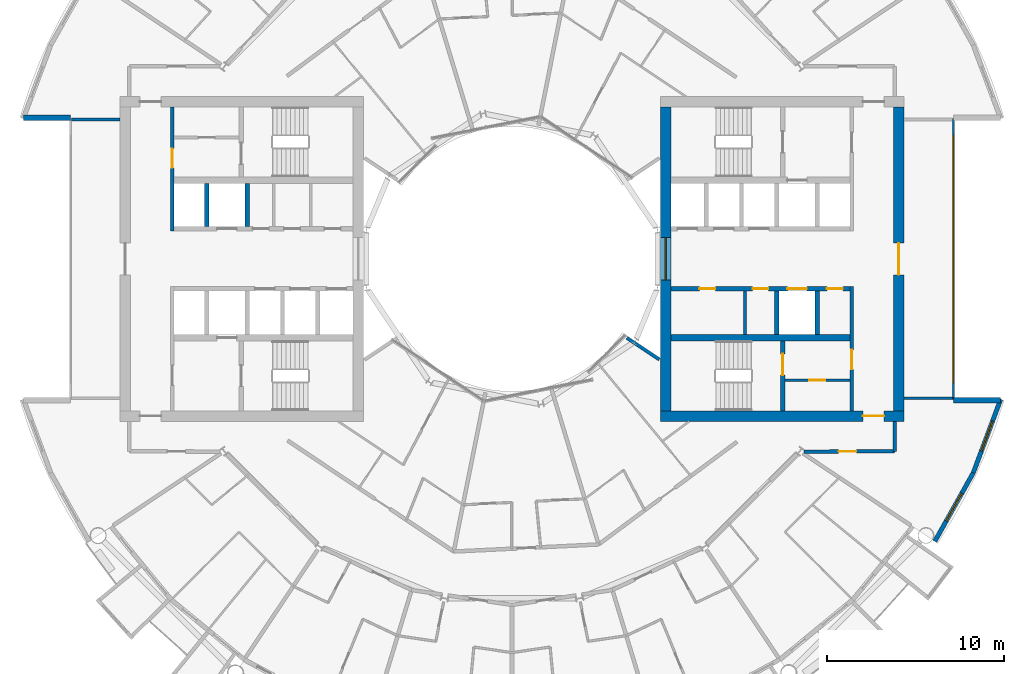
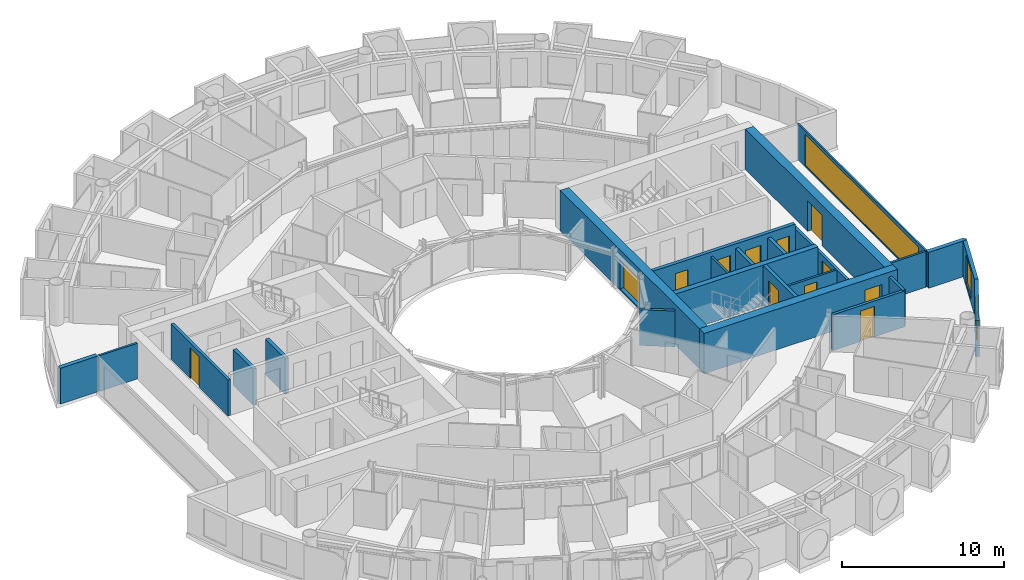
# One storey, part 18 of 27: 24 walls, 11 doors, 4 windows, 15 openings.
"""IFC4 building model written with IfcOpenShell, lengths in metres."""

from ifc_helpers import new_model, si_unit, direction, frame, frame_2d, origin, place, context, subcontext, project, spatial, rectangle, extrude, material, layer, layer_set, type_object, element, fill, save


model = new_model("IFC4")

# Units and contexts
model_context = context("Model", 3, precision=1e-05, world=origin(), true_north=direction((0.0, 1.0)))
body_context = subcontext(model_context, "Body", "Model", "MODEL_VIEW")
ifc_project = project(units=[si_unit("LENGTHUNIT", "METRE"), si_unit("AREAUNIT", "SQUARE_METRE"), si_unit("VOLUMEUNIT", "CUBIC_METRE"), si_unit("PLANEANGLEUNIT", "RADIAN"), si_unit("MASSUNIT", "GRAM", prefix="KILO")], contexts=[model_context])

# Site, building, storey
site_placement = place(None, origin())
site = spatial("IfcSite", under=ifc_project, at=site_placement, CompositionType="ELEMENT")
building_placement = place(site_placement, origin())
building = spatial("IfcBuilding", under=site, at=building_placement, Name="Maasbend Ring Residences", CompositionType="ELEMENT")
storey_placement = place(building_placement, frame((0.0, 0.0, 126.89990234375)))
storey = spatial("IfcBuildingStorey", under=building, at=storey_placement, Name="L36", CompositionType="ELEMENT", Elevation=126.89990234375)

# Wall, openings, doors
ifc_material_1 = material(Name="Concrete C60/75", Category="concrete")
ifc_layer_1 = layer(ifc_material_1, 0.25)
ifc_layer_set_1 = layer_set([ifc_layer_1], Name="Concrete C60/75")
wall_type_1 = type_object("IfcWallType", Name="CORE WALL 250 C60/75", PredefinedType="SHEAR", material=ifc_layer_set_1)
wall_1_placement = place(storey_placement, frame((19.14990234375, -1.699951171875, 0.0), z_axis=(0.0, 0.0, 1.0), x_axis=(-1.0, 0.0, 0.0)))
wall_1 = element("IfcWall", 1, at=wall_1_placement, inside=storey, type_object=wall_type_1, Name="L36 core E wall SPS", PredefinedType="SHEAR", context=body_context, shape_type="SweptSolid", body=[
    extrude(rectangle(XDim=10.14990234375, YDim=0.25, at=frame_2d((5.074951171875, 0.0))), origin(), (0.0, 0.0, 1.0), 3.050048828125),
])
opening_1_placement = place(wall_1_placement, frame((2.449951171875, 0.0, 0.0)))
opening_1 = element("IfcOpeningElement", 2, at=opening_1_placement, cuts=wall_1, Name="Opening LD-E3605", PredefinedType="OPENING", context=body_context, shape_type="SweptSolid", body=[
    extrude(rectangle(XDim=1.10009765625, YDim=2.300048828125, at=frame_2d((0.550048828125, 1.14990234375))), frame((0.0, 0.135009765625, 0.0), z_axis=(0.0, -1.0, 0.0), x_axis=(1.0, 0.0, 0.0)), (0.0, 0.0, 1.0), 0.27001953125),
])
opening_2_placement = place(wall_1_placement, frame((7.637451171875, 0.0, 0.0)))
opening_2 = element("IfcOpeningElement", 3, at=opening_2_placement, cuts=wall_1, Name="Opening D-E3606", PredefinedType="OPENING", context=body_context, shape_type="SweptSolid", body=[
    extrude(rectangle(XDim=0.89990234375, YDim=2.300048828125, at=frame_2d((0.449951171875, 1.14990234375))), frame((0.0, 0.135009765625, 0.0), z_axis=(0.0, -1.0, 0.0), x_axis=(1.0, 0.0, 0.0)), (0.0, 0.0, 1.0), 0.27001953125),
])
opening_3_placement = place(wall_1_placement, frame((4.625, 0.0, 0.0)))
opening_3 = element("IfcOpeningElement", 4, at=opening_3_placement, cuts=wall_1, Name="Opening D-E3607", PredefinedType="OPENING", context=body_context, shape_type="SweptSolid", body=[
    extrude(rectangle(XDim=0.89990234375, YDim=2.300048828125, at=frame_2d((0.449951171875, 1.14990234375))), frame((0.0, 0.135009765625, 0.0), z_axis=(0.0, -1.0, 0.0), x_axis=(1.0, 0.0, 0.0)), (0.0, 0.0, 1.0), 0.27001953125),
])
opening_4_placement = place(wall_1_placement, frame((0.41259765625, 0.0, 0.0)))
opening_4 = element("IfcOpeningElement", 5, at=opening_4_placement, cuts=wall_1, Name="Opening D-E3608", PredefinedType="OPENING", context=body_context, shape_type="SweptSolid", body=[
    extrude(rectangle(XDim=0.89990234375, YDim=2.300048828125, at=frame_2d((0.449951171875, 1.14990234375))), frame((0.0, 0.135009765625, 0.0), z_axis=(0.0, -1.0, 0.0), x_axis=(1.0, 0.0, 0.0)), (0.0, 0.0, 1.0), 0.27001953125),
])
ifc_material_2 = material(Name="Stainless steel 316", Category="steel")
door_type_1 = type_object("IfcDoorType", Name="LANDING DOOR 1100 X 2300 FD60", OperationType="DOUBLE_DOOR_SLIDING", PredefinedType="DOOR", material=ifc_material_2)
door_1_placement = place(opening_1_placement, origin())
door_1 = element("IfcDoor", 6, at=door_1_placement, inside=storey, type_object=door_type_1, Name="Landing door SV-E L36", OperationType="DOUBLE_DOOR_SLIDING", OverallHeight=2.300048828125, OverallWidth=1.10009765625, PredefinedType="DOOR", context=body_context, shape_type="SweptSolid", body=[
    extrude(rectangle(XDim=1.10009765625, YDim=2.300048828125, at=frame_2d((0.550048828125, 1.14990234375))), frame((0.0, 0.02490234375, 0.0), z_axis=(0.0, -1.0, 0.0), x_axis=(1.0, 0.0, 0.0)), (0.0, 0.0, 1.0), 0.050048828125),
])
fill(opening_1, door_1)
ifc_material_3 = material(Name="Steel, powder coated", Category="steel")
door_type_2 = type_object("IfcDoorType", Name="ROOM DOOR 900 X 2300 FD30S", OperationType="NOTDEFINED", PredefinedType="DOOR", material=ifc_material_3)
door_2_placement = place(opening_2_placement, origin())
door_2 = element("IfcDoor", 7, at=door_2_placement, inside=storey, type_object=door_type_2, Name="Room door L36", OperationType="SINGLE_SWING_LEFT", OverallHeight=2.300048828125, OverallWidth=0.89990234375, PredefinedType="DOOR", context=body_context, shape_type="SweptSolid", body=[
    extrude(rectangle(XDim=0.89990234375, YDim=2.300048828125, at=frame_2d((0.449951171875, 1.14990234375))), frame((0.0, 0.02490234375, 0.0), z_axis=(0.0, -1.0, 0.0), x_axis=(1.0, 0.0, 0.0)), (0.0, 0.0, 1.0), 0.050048828125),
])
fill(opening_2, door_2)
door_3_placement = place(opening_3_placement, origin())
door_3 = element("IfcDoor", 8, at=door_3_placement, inside=storey, type_object=door_type_2, Name="Room door L36", OperationType="SINGLE_SWING_LEFT", OverallHeight=2.300048828125, OverallWidth=0.89990234375, PredefinedType="DOOR", context=body_context, shape_type="SweptSolid", body=[
    extrude(rectangle(XDim=0.89990234375, YDim=2.300048828125, at=frame_2d((0.449951171875, 1.14990234375))), frame((0.0, 0.02490234375, 0.0), z_axis=(0.0, -1.0, 0.0), x_axis=(1.0, 0.0, 0.0)), (0.0, 0.0, 1.0), 0.050048828125),
])
fill(opening_3, door_3)
door_4_placement = place(opening_4_placement, origin())
door_4 = element("IfcDoor", 9, at=door_4_placement, inside=storey, type_object=door_type_2, Name="Room door L36", OperationType="SINGLE_SWING_RIGHT", OverallHeight=2.300048828125, OverallWidth=0.89990234375, PredefinedType="DOOR", context=body_context, shape_type="SweptSolid", body=[
    extrude(rectangle(XDim=0.89990234375, YDim=2.300048828125, at=frame_2d((0.449951171875, 1.14990234375))), frame((0.0, 0.02490234375, 0.0), z_axis=(0.0, -1.0, 0.0), x_axis=(1.0, 0.0, 0.0)), (0.0, 0.0, 1.0), 0.050048828125),
])
fill(opening_4, door_4)

# Wall, opening, door
wall_2_placement = place(storey_placement, frame((15.324951171875, -8.60009765625, 0.0), z_axis=(0.0, 0.0, 1.0), x_axis=(0.0, 1.0, 0.0)))
wall_2 = element("IfcWall", 10, at=wall_2_placement, inside=storey, type_object=wall_type_1, Name="L36 core E wall STES", PredefinedType="SHEAR", context=body_context, shape_type="SweptSolid", body=[
    extrude(rectangle(XDim=3.9501953125, YDim=0.25, at=frame_2d((1.97509765625, 0.0))), origin(), (0.0, 0.0, 1.0), 3.050048828125),
])
opening_5_placement = place(wall_2_placement, frame((2.02490234375, 0.0, 0.0)))
opening_5 = element("IfcOpeningElement", 11, at=opening_5_placement, cuts=wall_2, Name="Opening D-E3611", PredefinedType="OPENING", context=body_context, shape_type="SweptSolid", body=[
    extrude(rectangle(XDim=1.199951171875, YDim=2.300048828125, at=frame_2d((0.60009765625, 1.14990234375))), frame((0.0, 0.135009765625, 0.0), z_axis=(0.0, -1.0, 0.0), x_axis=(1.0, 0.0, 0.0)), (0.0, 0.0, 1.0), 0.27001953125),
])
ifc_material_4 = material(Name="Steel, powder coated", Category="steel")
door_type_3 = type_object("IfcDoorType", Name="STAIR DOOR 1200 X 2300 FD60", OperationType="NOTDEFINED", PredefinedType="DOOR", material=ifc_material_4)
door_5_placement = place(opening_5_placement, origin())
door_5 = element("IfcDoor", 12, at=door_5_placement, inside=storey, type_object=door_type_3, Name="Stair door ST-E L36", OperationType="SINGLE_SWING_LEFT", OverallHeight=2.300048828125, OverallWidth=1.199951171875, PredefinedType="DOOR", context=body_context, shape_type="SweptSolid", body=[
    extrude(rectangle(XDim=1.199951171875, YDim=2.300048828125, at=frame_2d((0.60009765625, 1.14990234375))), frame((0.0, 0.02490234375, 0.0), z_axis=(0.0, -1.0, 0.0), x_axis=(1.0, 0.0, 0.0)), (0.0, 0.0, 1.0), 0.050048828125),
])
fill(opening_5, door_5)

# Wall
ifc_material_5 = material(Name="Concrete C60/75", Category="concrete")
ifc_layer_2 = layer(ifc_material_5, 0.375)
ifc_layer_set_2 = layer_set([ifc_layer_2], Name="Concrete C60/75")
wall_type_2 = type_object("IfcWallType", Name="CORE WALL 375 C60/75", PredefinedType="SHEAR", material=ifc_layer_set_2)
wall_3_placement = place(storey_placement, frame((9.0, -4.46240234375, 0.0), z_axis=(0.0, 0.0, 1.0), x_axis=(1.0, 0.0, 0.0)))
element("IfcWall", 13, at=wall_3_placement, inside=storey, type_object=wall_type_2, Name="L36 core E wall BS", PredefinedType="SHEAR", context=body_context, shape_type="SweptSolid", body=[
    extrude(rectangle(XDim=10.14990234375, YDim=0.375, at=frame_2d((5.074951171875, 0.0))), origin(), (0.0, 0.0, 1.0), 3.050048828125),
])

# Wall, opening, door
ifc_material_6 = material(Name="Concrete C60/75", Category="concrete")
ifc_layer_3 = layer(ifc_material_6, 0.60009765625)
ifc_layer_set_3 = layer_set([ifc_layer_3], Name="Concrete C60/75")
wall_type_3 = type_object("IfcWallType", Name="CORE WALL 600 C60/75", PredefinedType="SHEAR", material=ifc_layer_set_3)
wall_4_placement = place(storey_placement, frame((8.39990234375, -8.89990234375, 0.0), z_axis=(0.0, 0.0, 1.0), x_axis=(1.0, 0.0, 0.0)))
wall_4 = element("IfcWall", 14, at=wall_4_placement, inside=storey, type_object=wall_type_3, Name="L36 core E wall PS", PredefinedType="SHEAR", context=body_context, shape_type="SweptSolid", body=[
    extrude(rectangle(XDim=13.800048828125, YDim=0.60009765625, at=frame_2d((6.89990234375, 0.0))), origin(), (0.0, 0.0, 1.0), 3.050048828125),
])
opening_6_placement = place(wall_4_placement, frame((11.47509765625, 0.0, 0.0)))
opening_6 = element("IfcOpeningElement", 15, at=opening_6_placement, cuts=wall_4, Name="Opening D-E3615", PredefinedType="OPENING", context=body_context, shape_type="SweptSolid", body=[
    extrude(rectangle(XDim=1.199951171875, YDim=2.300048828125, at=frame_2d((0.60009765625, 1.14990234375))), frame((0.0, 0.31005859375, 0.0), z_axis=(0.0, -1.0, 0.0), x_axis=(1.0, 0.0, 0.0)), (0.0, 0.0, 1.0), 0.6201171875),
])
ifc_material_7 = material(Name="Steel, powder coated", Category="steel")
door_type_4 = type_object("IfcDoorType", Name="CORRIDOR DOOR 1200 X 2300 FD30S", OperationType="NOTDEFINED", PredefinedType="DOOR", material=ifc_material_7)
door_6_placement = place(opening_6_placement, origin())
door_6 = element("IfcDoor", 16, at=door_6_placement, inside=storey, type_object=door_type_4, Name="Corridor door L36", OperationType="SINGLE_SWING_LEFT", OverallHeight=2.300048828125, OverallWidth=1.199951171875, PredefinedType="DOOR", context=body_context, shape_type="SweptSolid", body=[
    extrude(rectangle(XDim=1.199951171875, YDim=2.300048828125, at=frame_2d((0.60009765625, 1.14990234375))), frame((0.0, 0.02490234375, 0.0), z_axis=(0.0, -1.0, 0.0), x_axis=(1.0, 0.0, 0.0)), (0.0, 0.0, 1.0), 0.050048828125),
])
fill(opening_6, door_6)

wall_5_placement = place(storey_placement, frame((21.89990234375, 8.60009765625, 0.0), z_axis=(0.0, 0.0, 1.0), x_axis=(0.0, -1.0, 0.0)))
wall_5 = element("IfcWall", 17, at=wall_5_placement, inside=storey, type_object=wall_type_3, Name="L36 core E wall POUT", PredefinedType="SHEAR", context=body_context, shape_type="SweptSolid", body=[
    extrude(rectangle(XDim=17.2001953125, YDim=0.60009765625, at=frame_2d((8.60009765625, 0.0))), origin(), (0.0, 0.0, 1.0), 3.050048828125),
])
opening_7_placement = place(wall_5_placement, frame((7.699951171875, 0.0, 0.0)))
opening_7 = element("IfcOpeningElement", 18, at=opening_7_placement, cuts=wall_5, Name="Opening D-E3616", PredefinedType="OPENING", context=body_context, shape_type="SweptSolid", body=[
    extrude(rectangle(XDim=1.800048828125, YDim=2.300048828125, at=frame_2d((0.89990234375, 1.14990234375))), frame((0.0, 0.31005859375, 0.0), z_axis=(0.0, -1.0, 0.0), x_axis=(1.0, 0.0, 0.0)), (0.0, 0.0, 1.0), 0.6201171875),
])
ifc_material_8 = material(Name="Aluminium frame, clear glass", Category="aluminium")
door_type_5 = type_object("IfcDoorType", Name="ENTRANCE DOOR 1800 X 2300 FD60", OperationType="NOTDEFINED", PredefinedType="DOOR", material=ifc_material_8)
door_7_placement = place(opening_7_placement, origin())
door_7 = element("IfcDoor", 19, at=door_7_placement, inside=storey, type_object=door_type_5, Name="Lobby glazed door L36", OperationType="SINGLE_SWING_LEFT", OverallHeight=2.300048828125, OverallWidth=1.800048828125, PredefinedType="DOOR", context=body_context, shape_type="SweptSolid", body=[
    extrude(rectangle(XDim=1.800048828125, YDim=2.300048828125, at=frame_2d((0.89990234375, 1.14990234375))), frame((0.0, 0.02490234375, 0.0), z_axis=(0.0, -1.0, 0.0), x_axis=(1.0, 0.0, 0.0)), (0.0, 0.0, 1.0), 0.050048828125),
])
fill(opening_7, door_7)

# Wall, opening, window
wall_6_placement = place(storey_placement, frame((8.699951171875, -8.60009765625, 0.0), z_axis=(0.0, 0.0, 1.0), x_axis=(0.0, 1.0, 0.0)))
wall_6 = element("IfcWall", 20, at=wall_6_placement, inside=storey, type_object=wall_type_3, Name="L36 core E wall PIN", PredefinedType="SHEAR", context=body_context, shape_type="SweptSolid", body=[
    extrude(rectangle(XDim=17.2001953125, YDim=0.60009765625, at=frame_2d((8.60009765625, 0.0))), origin(), (0.0, 0.0, 1.0), 3.050048828125),
])
opening_8_placement = place(wall_6_placement, frame((7.39990234375, 0.0, 0.10009765625)))
opening_8 = element("IfcOpeningElement", 21, at=opening_8_placement, cuts=wall_6, Name="Opening W-E3601", PredefinedType="OPENING", context=body_context, shape_type="SweptSolid", body=[
    extrude(rectangle(XDim=2.39990234375, YDim=2.199951171875, at=frame_2d((1.199951171875, 1.10009765625))), frame((0.0, 0.31005859375, 0.0), z_axis=(0.0, -1.0, 0.0), x_axis=(1.0, 0.0, 0.0)), (0.0, 0.0, 1.0), 0.6201171875),
])
ifc_material_9 = material(Name="Aluminium frame and clear glass", Category="aluminium")
window_type_1 = type_object("IfcWindowType", Name="FIXED WINDOW 2400 X 2200", PartitioningType="SINGLE_PANEL", PredefinedType="WINDOW", material=ifc_material_9)
window_1_placement = place(opening_8_placement, origin())
window_1 = element("IfcWindow", 22, at=window_1_placement, inside=storey, type_object=window_type_1, Name="Lobby window L36", OverallHeight=2.199951171875, OverallWidth=2.39990234375, PartitioningType="SINGLE_PANEL", PredefinedType="WINDOW", context=body_context, shape_type="SweptSolid", body=[
    extrude(rectangle(XDim=2.39990234375, YDim=2.199951171875, at=frame_2d((1.199951171875, 1.10009765625))), frame((0.0, 0.030029296875, 0.0), z_axis=(0.0, -1.0, 0.0), x_axis=(1.0, 0.0, 0.0)), (0.0, 0.0, 1.0), 0.06005859375),
])
fill(opening_8, window_1)

# Wall
ifc_material_10 = material(Name="Concrete C30/37", Category="concrete")
ifc_layer_4 = layer(ifc_material_10, 0.199951171875)
ifc_layer_set_4 = layer_set([ifc_layer_4], Name="Concrete C30/37")
wall_type_4 = type_object("IfcWallType", Name="CORRIDOR WALL 200 CONCRETE", PredefinedType="PARTITIONING", material=ifc_layer_set_4)
wall_7_placement = place(storey_placement, frame((21.675048828125, -10.89990234375, 0.0), z_axis=(0.0, 0.0, 1.0), x_axis=(0.0, 1.0, 0.0)))
element("IfcWall", 23, at=wall_7_placement, inside=storey, type_object=wall_type_4, Name="U-L36-w013", PredefinedType="PARTITIONING", context=body_context, shape_type="SweptSolid", body=[
    extrude(rectangle(XDim=1.699951171875, YDim=0.199951171875, at=frame_2d((0.85009765625, 0.0))), origin(), (0.0, 0.0, 1.0), 2.7001953125),
])

# Wall, opening, door
wall_8_placement = place(storey_placement, frame((16.541015625, -10.912109375, 0.0), z_axis=(0.0, 0.0, 1.0), x_axis=(0.999997173357, 0.002377662213, 0.0)))
wall_8 = element("IfcWall", 24, at=wall_8_placement, inside=storey, type_object=wall_type_4, Name="U-L36-w033", PredefinedType="PARTITIONING", context=body_context, shape_type="SweptSolid", body=[
    extrude(rectangle(XDim=5.134033203125, YDim=0.199951171875, at=frame_2d((2.56689453125, 0.0))), origin(), (0.0, 0.0, 1.0), 2.7001953125),
])
opening_9_placement = place(wall_8_placement, frame((1.962890625, 0.0, 0.0)))
opening_9 = element("IfcOpeningElement", 25, at=opening_9_placement, cuts=wall_8, Name="Opening D-3665", PredefinedType="OPENING", context=body_context, shape_type="SweptSolid", body=[
    extrude(rectangle(XDim=1.0, YDim=2.300048828125, at=frame_2d((0.5, 1.14990234375))), frame((0.0, 0.10986328125, 0.0), z_axis=(0.0, -1.0, 0.0), x_axis=(1.0, 0.0, 0.0)), (0.0, 0.0, 1.0), 0.219970703125),
])
ifc_material_11 = material(Name="Timber, painted", Category="wood")
door_type_6 = type_object("IfcDoorType", Name="ROOM DOOR 1000 X 2300", OperationType="NOTDEFINED", PredefinedType="DOOR", material=ifc_material_11)
door_8_placement = place(opening_9_placement, origin())
door_8 = element("IfcDoor", 26, at=door_8_placement, inside=storey, type_object=door_type_6, Name="D-3665", OperationType="SINGLE_SWING_LEFT", OverallHeight=2.300048828125, OverallWidth=1.0, PredefinedType="DOOR", context=body_context, shape_type="SweptSolid", body=[
    extrude(rectangle(XDim=1.0, YDim=2.300048828125, at=frame_2d((0.5, 1.14990234375))), frame((0.0, 0.02490234375, 0.0), z_axis=(0.0, -1.0, 0.0), x_axis=(1.0, 0.0, 0.0)), (0.0, 0.0, 1.0), 0.050048828125),
])
fill(opening_9, door_8)

# Wall, opening, window
ifc_material_12 = material(Name="Aluminium clad insulated panel", Category="aluminium")
ifc_layer_5 = layer(ifc_material_12, 0.25)
ifc_layer_set_5 = layer_set([ifc_layer_5], Name="EW-HORN")
wall_type_5 = type_object("IfcWallType", Name="EW-HORN", PredefinedType="SOLIDWALL", material=ifc_layer_set_5)
wall_9_placement = place(storey_placement, frame((23.946044921875, -16.0, 0.0), z_axis=(0.0, 0.0, 1.0), x_axis=(0.489696356642, 0.871893042919, 0.0)))
wall_9 = element("IfcWall", 27, at=wall_9_placement, inside=storey, type_object=wall_type_5, Name="Horn wall 2.1", PredefinedType="SOLIDWALL", context=body_context, shape_type="SweptSolid", body=[
    extrude(rectangle(XDim=4.45361328125, YDim=0.25, at=frame_2d((2.226806640625, 0.0))), origin(), (0.0, 0.0, 1.0), 2.7001953125),
])
opening_10_placement = place(wall_9_placement, frame((1.32666015625, 0.0, 0.300048828125)))
opening_10 = element("IfcOpeningElement", 28, at=opening_10_placement, cuts=wall_9, Name="Opening W-BX", PredefinedType="OPENING", context=body_context, shape_type="SweptSolid", body=[
    extrude(rectangle(XDim=1.800048828125, YDim=2.10009765625, at=frame_2d((0.89990234375, 1.050048828125))), frame((0.0, 0.135009765625, 0.0), z_axis=(0.0, -1.0, 0.0), x_axis=(1.0, 0.0, 0.0)), (0.0, 0.0, 1.0), 0.27001953125),
])
ifc_material_13 = material(Name="Aluminium and clear glass", Category="aluminium")
window_type_2 = type_object("IfcWindowType", Name="W-BX", PartitioningType="DOUBLE_PANEL_VERTICAL", PredefinedType="WINDOW", material=ifc_material_13)
window_2_placement = place(opening_10_placement, origin())
window_2 = element("IfcWindow", 29, at=window_2_placement, inside=storey, type_object=window_type_2, Name="Horn window 2.1", OverallHeight=2.10009765625, OverallWidth=1.800048828125, PartitioningType="SINGLE_PANEL", PredefinedType="WINDOW", context=body_context, shape_type="SweptSolid", body=[
    extrude(rectangle(XDim=1.800048828125, YDim=2.10009765625, at=frame_2d((0.89990234375, 1.050048828125))), frame((0.0, 0.030029296875, 0.0), z_axis=(0.0, -1.0, 0.0), x_axis=(1.0, 0.0, 0.0)), (0.0, 0.0, 1.0), 0.06005859375),
])
fill(opening_10, window_2)

wall_10_placement = place(storey_placement, frame((26.126953125, -12.116943359375, 0.0), z_axis=(0.0, 0.0, 1.0), x_axis=(0.349247811493, 0.937030397675, 0.0)))
wall_10 = element("IfcWall", 30, at=wall_10_placement, inside=storey, type_object=wall_type_5, Name="Horn wall 2.2", PredefinedType="SOLIDWALL", context=body_context, shape_type="SweptSolid", body=[
    extrude(rectangle(XDim=4.4521484375, YDim=0.25, at=frame_2d((2.22607421875, 0.0))), origin(), (0.0, 0.0, 1.0), 2.7001953125),
])
opening_11_placement = place(wall_10_placement, frame((1.32666015625, 0.0, 0.300048828125)))
opening_11 = element("IfcOpeningElement", 31, at=opening_11_placement, cuts=wall_10, Name="Opening W-BX", PredefinedType="OPENING", context=body_context, shape_type="SweptSolid", body=[
    extrude(rectangle(XDim=1.800048828125, YDim=2.10009765625, at=frame_2d((0.89990234375, 1.050048828125))), frame((0.0, 0.135009765625, 0.0), z_axis=(0.0, -1.0, 0.0), x_axis=(1.0, 0.0, 0.0)), (0.0, 0.0, 1.0), 0.27001953125),
])
window_3_placement = place(opening_11_placement, origin())
window_3 = element("IfcWindow", 32, at=window_3_placement, inside=storey, type_object=window_type_2, Name="Horn window 2.2", OverallHeight=2.10009765625, OverallWidth=1.800048828125, PartitioningType="SINGLE_PANEL", PredefinedType="WINDOW", context=body_context, shape_type="SweptSolid", body=[
    extrude(rectangle(XDim=1.800048828125, YDim=2.10009765625, at=frame_2d((0.89990234375, 1.050048828125))), frame((0.0, 0.030029296875, 0.0), z_axis=(0.0, -1.0, 0.0), x_axis=(1.0, 0.0, 0.0)), (0.0, 0.0, 1.0), 0.06005859375),
])
fill(opening_11, window_3)

# Walls
ifc_material_14 = material(Name="Aluminium clad insulated panel", Category="aluminium")
ifc_layer_6 = layer(ifc_material_14, 0.300048828125)
ifc_layer_set_6 = layer_set([ifc_layer_6], Name="EW-RET")
wall_type_6 = type_object("IfcWallType", Name="EW-RET", PredefinedType="SOLIDWALL", material=ifc_layer_set_6)
for number, where, z_axis, x_axis, name in (
    (33, (25.0, -8.0, 0.0), (0.0, 0.0, 1.0), (1.0, 0.0, 0.0), "Notch return wall east south"),
    (34, (-25.0, 8.0, 0.0), (0.0, 0.0, 1.0), (-1.0, 0.0, 0.0), "Notch return wall west north"),
):
    element("IfcWall", number, at=place(storey_placement, frame(where, z_axis=z_axis, x_axis=x_axis)), inside=storey, type_object=wall_type_6, Name=name, PredefinedType="SOLIDWALL", context=body_context, shape_type="SweptSolid", body=[
        extrude(rectangle(XDim=2.6669921875, YDim=0.300048828125, at=frame_2d((1.33349609375, 0.0))), origin(), (0.0, 0.0, 1.0), 2.7001953125),
    ])

# Wall, opening, window
ifc_material_15 = material(Name="Aluminium frame and clear glass", Category="aluminium")
ifc_layer_7 = layer(ifc_material_15, 0.1201171875)
ifc_layer_set_7 = layer_set([ifc_layer_7], Name="GLAZED SCREEN WALL 120 EI 60")
wall_type_7 = type_object("IfcWallType", Name="GLAZED SCREEN WALL 120 EI 60", PredefinedType="PARTITIONING", material=ifc_layer_set_7)
wall_11_placement = place(storey_placement, frame((25.0, -7.949951171875, 0.0), z_axis=(0.0, 0.0, 1.0), x_axis=(0.0, 1.0, 0.0)))
wall_11 = element("IfcWall", 35, at=wall_11_placement, inside=storey, type_object=wall_type_7, Name="L36 core E wall FACE", PredefinedType="PARTITIONING", context=body_context, shape_type="SweptSolid", body=[
    extrude(rectangle(XDim=15.89990234375, YDim=0.1201171875, at=frame_2d((7.949951171875, 0.0))), origin(), (0.0, 0.0, 1.0), 2.7001953125),
])
opening_12_placement = place(wall_11_placement, frame((0.949951171875, 0.0, 0.10009765625)))
opening_12 = element("IfcOpeningElement", 36, at=opening_12_placement, cuts=wall_11, Name="Opening W-E3602", PredefinedType="OPENING", context=body_context, shape_type="SweptSolid", body=[
    extrude(rectangle(XDim=14.0, YDim=2.35009765625, at=frame_2d((7.0, 1.175048828125))), frame((0.0, 0.070068359375, 0.0), z_axis=(0.0, -1.0, 0.0), x_axis=(1.0, 0.0, 0.0)), (0.0, 0.0, 1.0), 0.14013671875),
])
ifc_material_16 = material(Name="Aluminium frame and clear glass", Category="aluminium")
window_type_3 = type_object("IfcWindowType", Name="FIXED WINDOW 14000 X 2350", PartitioningType="SINGLE_PANEL", PredefinedType="WINDOW", material=ifc_material_16)
window_4_placement = place(opening_12_placement, origin())
window_4 = element("IfcWindow", 37, at=window_4_placement, inside=storey, type_object=window_type_3, Name="Lobby window L36", OverallHeight=2.35009765625, OverallWidth=14.0, PartitioningType="SINGLE_PANEL", PredefinedType="WINDOW", context=body_context, shape_type="SweptSolid", body=[
    extrude(rectangle(XDim=14.0, YDim=2.35009765625, at=frame_2d((7.0, 1.175048828125))), frame((0.0, 0.030029296875, 0.0), z_axis=(0.0, -1.0, 0.0), x_axis=(1.0, 0.0, 0.0)), (0.0, 0.0, 1.0), 0.06005859375),
])
fill(opening_12, window_4)

# Wall
ifc_material_17 = material(Name="Gypsum board on steel studs", Category="steel")
ifc_layer_8 = layer(ifc_material_17, 0.14990234375)
ifc_layer_set_8 = layer_set([ifc_layer_8], Name="PARTITION 150 EI 60")
wall_type_8 = type_object("IfcWallType", Name="PARTITION 150 EI 60", PredefinedType="PARTITIONING", material=ifc_layer_set_8)
wall_12_placement = place(storey_placement, frame((13.199951171875, -1.824951171875, 0.0), z_axis=(0.0, 0.0, 1.0), x_axis=(0.0, -1.0, 0.0)))
element("IfcWall", 38, at=wall_12_placement, inside=storey, type_object=wall_type_8, Name="L36 core E wall PRS1320", PredefinedType="PARTITIONING", context=body_context, shape_type="SweptSolid", body=[
    extrude(rectangle(XDim=2.449951171875, YDim=0.14990234375, at=frame_2d((1.22509765625, 0.0))), origin(), (0.0, 0.0, 1.0), 2.7001953125),
])

# Wall, opening, door
wall_13_placement = place(storey_placement, frame((15.449951171875, -6.875, 0.0), z_axis=(0.0, 0.0, 1.0), x_axis=(1.0, 0.0, 0.0)))
wall_13 = element("IfcWall", 39, at=wall_13_placement, inside=storey, type_object=wall_type_8, Name="L36 core E wall RHS", PredefinedType="PARTITIONING", context=body_context, shape_type="SweptSolid", body=[
    extrude(rectangle(XDim=3.699951171875, YDim=0.14990234375, at=frame_2d((1.85009765625, 0.0))), origin(), (0.0, 0.0, 1.0), 2.7001953125),
])
opening_13_placement = place(wall_13_placement, frame((1.39990234375, 0.0, 0.0)))
opening_13 = element("IfcOpeningElement", 40, at=opening_13_placement, cuts=wall_13, Name="Opening D-E3609", PredefinedType="OPENING", context=body_context, shape_type="SweptSolid", body=[
    extrude(rectangle(XDim=0.89990234375, YDim=2.300048828125, at=frame_2d((0.449951171875, 1.14990234375))), frame((0.0, 0.0849609375, 0.0), z_axis=(0.0, -1.0, 0.0), x_axis=(1.0, 0.0, 0.0)), (0.0, 0.0, 1.0), 0.169921875),
])
ifc_material_18 = material(Name="Steel, powder coated", Category="steel")
door_type_7 = type_object("IfcDoorType", Name="RISER DOOR 900 X 2300 FD60", OperationType="NOTDEFINED", PredefinedType="DOOR", material=ifc_material_18)
door_9_placement = place(opening_13_placement, origin())
door_9 = element("IfcDoor", 41, at=door_9_placement, inside=storey, type_object=door_type_7, Name="Riser door L36", OperationType="SINGLE_SWING_LEFT", OverallHeight=2.300048828125, OverallWidth=0.89990234375, PredefinedType="DOOR", context=body_context, shape_type="SweptSolid", body=[
    extrude(rectangle(XDim=0.89990234375, YDim=2.300048828125, at=frame_2d((0.449951171875, 1.14990234375))), frame((0.0, 0.02490234375, 0.0), z_axis=(0.0, -1.0, 0.0), x_axis=(1.0, 0.0, 0.0)), (0.0, 0.0, 1.0), 0.050048828125),
])
fill(opening_13, door_9)

# Walls
for number, where, z_axis, x_axis, name in (
    (42, (22.199951171875, -7.89990234375, 0.0), (0.0, 0.0, 1.0), (1.0, 0.0, 0.0), "L36 core E wall CITS"),
    (43, (-22.199951171875, 7.89990234375, 0.0), (0.0, 0.0, 1.0), (-1.0, 0.0, 0.0), "L36 core W wall CITS"),
):
    element("IfcWall", number, at=place(storey_placement, frame(where, z_axis=z_axis, x_axis=x_axis)), inside=storey, type_object=wall_type_8, Name=name, PredefinedType="PARTITIONING", context=body_context, shape_type="SweptSolid", body=[
        extrude(rectangle(XDim=2.739990234375, YDim=0.14990234375, at=frame_2d((1.3701171875, 0.0))), origin(), (0.0, 0.0, 1.0), 2.7001953125),
    ])
ifc_material_19 = material(Name="Concrete C30/37", Category="concrete")
ifc_layer_9 = layer(ifc_material_19, 0.199951171875)
ifc_layer_set_9 = layer_set([ifc_layer_9], Name="Concrete C30/37")
wall_type_9 = type_object("IfcWallType", Name="PARTY WALL 200 CONCRETE", PredefinedType="PARTITIONING", material=ifc_layer_set_9)
wall_14_placement = place(storey_placement, frame((6.512939453125, -4.471923828125, 0.0), z_axis=(0.0, 0.0, 1.0), x_axis=(0.831333375071, -0.555774072347, 0.0)))
element("IfcWall", 44, at=wall_14_placement, inside=storey, type_object=wall_type_9, Name="U-L36-w035", PredefinedType="PARTITIONING", context=body_context, shape_type="SweptSolid", body=[
    extrude(rectangle(XDim=2.20263671875, YDim=0.199951171875, at=frame_2d((1.101318359375, 0.0))), origin(), (0.0, 0.0, 1.0), 2.7001953125),
])

# Wall, opening, door
ifc_material_20 = material(Name="Concrete C30/37", Category="concrete")
ifc_layer_10 = layer(ifc_material_20, 0.199951171875)
ifc_layer_set_10 = layer_set([ifc_layer_10], Name="Concrete C30/37")
wall_type_10 = type_object("IfcWallType", Name="SHAFT WALL 200 EI 120", PredefinedType="SOLIDWALL", material=ifc_layer_set_10)
wall_15_placement = place(storey_placement, frame((19.25, -8.60009765625, 0.0), z_axis=(0.0, 0.0, 1.0), x_axis=(0.0, 1.0, 0.0)))
wall_15 = element("IfcWall", 45, at=wall_15_placement, inside=storey, type_object=wall_type_10, Name="L36 core E wall ENDS", PredefinedType="SOLIDWALL", context=body_context, shape_type="SweptSolid", body=[
    extrude(rectangle(XDim=7.025146484375, YDim=0.199951171875, at=frame_2d((3.5126953125, 0.0))), origin(), (0.0, 0.0, 1.0), 2.7001953125),
])
opening_14_placement = place(wall_15_placement, frame((2.35009765625, 0.0, 0.0)))
opening_14 = element("IfcOpeningElement", 46, at=opening_14_placement, cuts=wall_15, Name="Opening D-E3613", PredefinedType="OPENING", context=body_context, shape_type="SweptSolid", body=[
    extrude(rectangle(XDim=1.10009765625, YDim=2.300048828125, at=frame_2d((0.550048828125, 1.14990234375))), frame((0.0, 0.10986328125, 0.0), z_axis=(0.0, -1.0, 0.0), x_axis=(1.0, 0.0, 0.0)), (0.0, 0.0, 1.0), 0.219970703125),
])
ifc_material_21 = material(Name="Steel, powder coated", Category="steel")
door_type_8 = type_object("IfcDoorType", Name="LOBBY DOOR 1100 X 2300 FD60", OperationType="NOTDEFINED", PredefinedType="DOOR", material=ifc_material_21)
door_10_placement = place(opening_14_placement, origin())
door_10 = element("IfcDoor", 47, at=door_10_placement, inside=storey, type_object=door_type_8, Name="Lobby door L36", OperationType="SINGLE_SWING_RIGHT", OverallHeight=2.300048828125, OverallWidth=1.10009765625, PredefinedType="DOOR", context=body_context, shape_type="SweptSolid", body=[
    extrude(rectangle(XDim=1.10009765625, YDim=2.300048828125, at=frame_2d((0.550048828125, 1.14990234375))), frame((0.0, 0.02490234375, 0.0), z_axis=(0.0, -1.0, 0.0), x_axis=(1.0, 0.0, 0.0)), (0.0, 0.0, 1.0), 0.050048828125),
])
fill(opening_14, door_10)

wall_16_placement = place(storey_placement, frame((-19.25, 8.60009765625, 0.0), z_axis=(0.0, 0.0, 1.0), x_axis=(0.0, -1.0, 0.0)))
wall_16 = element("IfcWall", 48, at=wall_16_placement, inside=storey, type_object=wall_type_10, Name="L36 core W wall ENDS", PredefinedType="SOLIDWALL", context=body_context, shape_type="SweptSolid", body=[
    extrude(rectangle(XDim=7.025146484375, YDim=0.199951171875, at=frame_2d((3.5126953125, 0.0))), origin(), (0.0, 0.0, 1.0), 2.7001953125),
])
opening_15_placement = place(wall_16_placement, frame((2.35009765625, 0.0, 0.0)))
opening_15 = element("IfcOpeningElement", 49, at=opening_15_placement, cuts=wall_16, Name="Opening D-W3613", PredefinedType="OPENING", context=body_context, shape_type="SweptSolid", body=[
    extrude(rectangle(XDim=1.10009765625, YDim=2.300048828125, at=frame_2d((0.550048828125, 1.14990234375))), frame((0.0, 0.10986328125, 0.0), z_axis=(0.0, -1.0, 0.0), x_axis=(1.0, 0.0, 0.0)), (0.0, 0.0, 1.0), 0.219970703125),
])
door_11_placement = place(opening_15_placement, origin())
door_11 = element("IfcDoor", 50, at=door_11_placement, inside=storey, type_object=door_type_8, Name="Lobby door L36", OperationType="SINGLE_SWING_RIGHT", OverallHeight=2.300048828125, OverallWidth=1.10009765625, PredefinedType="DOOR", context=body_context, shape_type="SweptSolid", body=[
    extrude(rectangle(XDim=1.10009765625, YDim=2.300048828125, at=frame_2d((0.550048828125, 1.14990234375))), frame((0.0, 0.02490234375, 0.0), z_axis=(0.0, -1.0, 0.0), x_axis=(1.0, 0.0, 0.0)), (0.0, 0.0, 1.0), 0.050048828125),
])
fill(opening_15, door_11)

# Walls
ifc_material_22 = material(Name="Concrete C30/37", Category="concrete")
ifc_layer_11 = layer(ifc_material_22, 0.25)
ifc_layer_set_11 = layer_set([ifc_layer_11], Name="Concrete C30/37")
wall_type_11 = type_object("IfcWallType", Name="SHAFT WALL 250 EI 120", PredefinedType="SOLIDWALL", material=ifc_layer_set_11)
for number, where, z_axis, x_axis, name in (
    (51, (15.0, -1.824951171875, 0.0), (0.0, 0.0, 1.0), (0.0, -1.0, 0.0), "L36 core E wall D150S"),
    (52, (17.300048828125, -1.824951171875, 0.0), (0.0, 0.0, 1.0), (0.0, -1.0, 0.0), "L36 core E wall D173S"),
    (53, (-15.0, 1.824951171875, 0.0), (0.0, 0.0, 1.0), (0.0, 1.0, 0.0), "L36 core W wall D150S"),
    (54, (-17.300048828125, 1.824951171875, 0.0), (0.0, 0.0, 1.0), (0.0, 1.0, 0.0), "L36 core W wall D173S"),
):
    element("IfcWall", number, at=place(storey_placement, frame(where, z_axis=z_axis, x_axis=x_axis)), inside=storey, type_object=wall_type_11, Name=name, PredefinedType="SOLIDWALL", context=body_context, shape_type="SweptSolid", body=[
        extrude(rectangle(XDim=2.449951171875, YDim=0.25, at=frame_2d((1.22509765625, 0.0))), origin(), (0.0, 0.0, 1.0), 2.7001953125),
    ])

save(model, "model.ifc")
